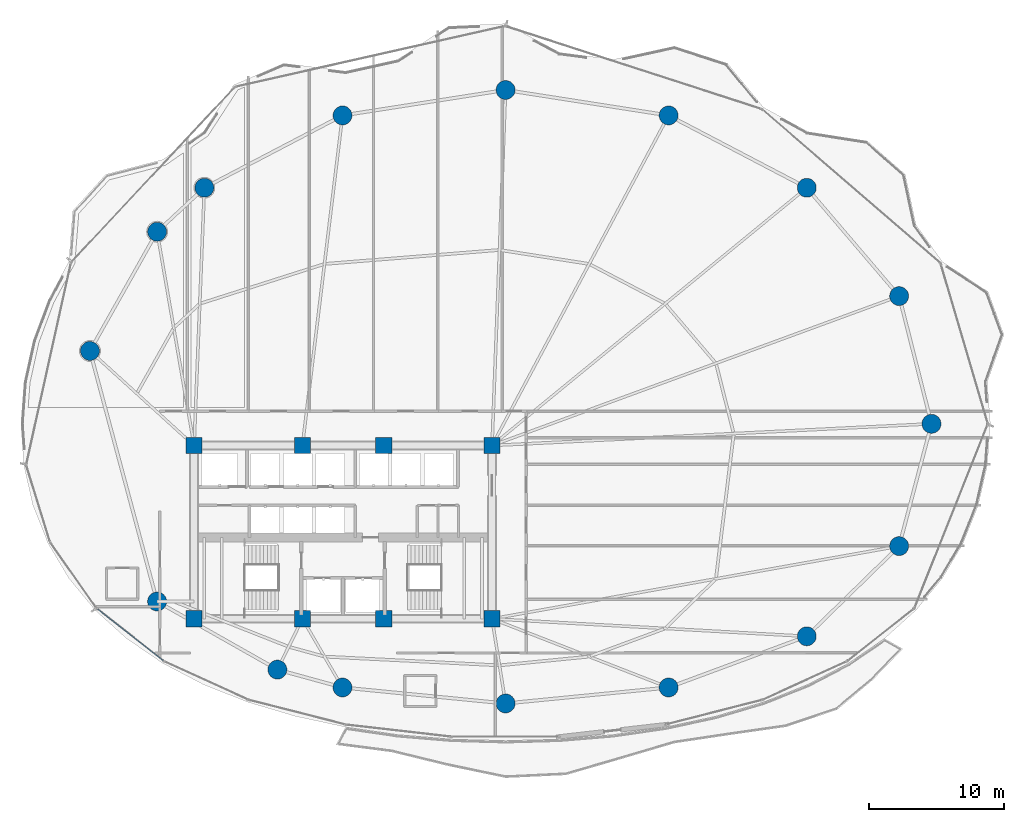
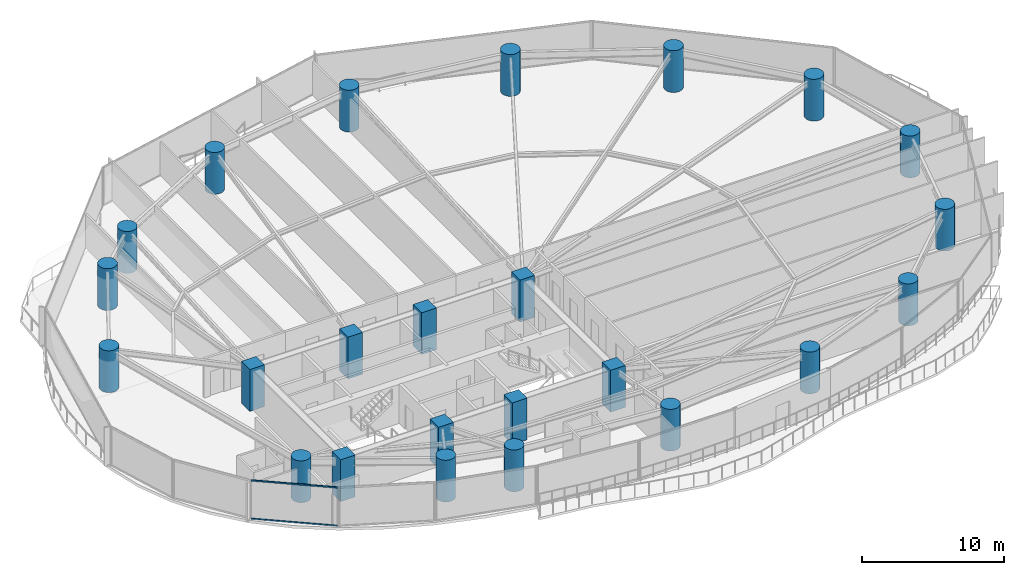
# One storey, part 1 of 33: 24 columns, 2 members, 1 element without a shape of its own.
"""IFC4 building model written with IfcOpenShell, lengths in metres."""

import ifcopenshell
import ifcopenshell.guid

model = None  # the IFC model being written
_history = None  # IfcOwnerHistory: only IFC2X3 demands one
_inside = {}  # id of a spatial element -> (the spatial element, [elements in it])
_under = {}  # id of a project, library or spatial element -> (it, [spatial elements below it])
_declared = {}  # id of a project -> (the project, [libraries it declares])
_typed = {}  # id of a type object -> (the type object, [elements of that type])
_made_of = {}  # id of a material, layer set ... -> (it, [elements and type objects made of it])


def new_model(schema):
    """Start an empty IFC model of exactly this schema.

    Asked for "IFC4X3", IfcOpenShell would pick the latest addendum, in which some entities
    have other attributes; the version numbers below select the first issue.
    IFC2X3 requires an IfcOwnerHistory on every rooted entity: one is made here for all.
    """
    global model, _history
    if schema == "IFC4X3":
        model = ifcopenshell.file(schema_version=(4, 3, 0, 0))
    else:
        model = ifcopenshell.file(schema=schema)
    _inside.clear()
    _under.clear()
    _declared.clear()
    _typed.clear()
    _made_of.clear()
    _history = None
    if model.schema == "IFC2X3":
        org = make("IfcOrganization", Name="unknown")
        user = make(
            "IfcPersonAndOrganization",
            ThePerson=make("IfcPerson", FamilyName="unknown"),
            TheOrganization=org,
        )
        app = make(
            "IfcApplication",
            ApplicationDeveloper=org,
            Version="unknown",
            ApplicationFullName="unknown",
            ApplicationIdentifier="unknown",
        )
        _history = make(
            "IfcOwnerHistory",
            OwningUser=user,
            OwningApplication=app,
            ChangeAction="ADDED",
            CreationDate=0,
        )
    return model


def make(cls, **values):
    """One entity of the class cls with the attributes given. An attribute that is None is left unset."""
    return model.create_entity(
        cls, **{name: value for name, value in values.items() if value is not None}
    )


def rooted(cls, **values):
    """An entity with a GlobalId (a new one), such as an element, a storey or a relation."""
    return make(cls, GlobalId=ifcopenshell.guid.new(), OwnerHistory=_history, **values)


def si_unit(unit_type, name, prefix=None):
    """IfcSIUnit, for example si_unit("LENGTHUNIT", "METRE", prefix="MILLI")."""
    return make("IfcSIUnit", UnitType=unit_type, Prefix=prefix, Name=name)


def assignment(units):
    """IfcUnitAssignment: the units of a project."""
    return None if units is None else make("IfcUnitAssignment", Units=units)


def point(xyz):
    """IfcCartesianPoint."""
    return None if xyz is None else make("IfcCartesianPoint", Coordinates=xyz)


def direction(xyz):
    """IfcDirection."""
    return None if xyz is None else make("IfcDirection", DirectionRatios=xyz)


def frame(location, z_axis=None, x_axis=None):
    """IfcAxis2Placement3D, a coordinate frame: its origin and axes. An axis left out is left unset."""
    return make(
        "IfcAxis2Placement3D",
        Location=point(location),
        Axis=direction(z_axis),
        RefDirection=direction(x_axis),
    )


def frame_2d(location, x_axis=None):
    """IfcAxis2Placement2D, a coordinate frame in the plane: its origin and x axis."""
    return make(
        "IfcAxis2Placement2D", Location=point(location), RefDirection=direction(x_axis)
    )


def origin():
    """The frame at (0, 0, 0) with its axes left unset."""
    return frame((0.0, 0.0, 0.0))


def origin_2d():
    """The frame at (0, 0) in the plane with its x axis left unset."""
    return frame_2d((0.0, 0.0))


def place(relative_to, where):
    """IfcLocalPlacement: puts the frame where relative to a parent placement (None: the world)."""
    return make(
        "IfcLocalPlacement", PlacementRelTo=relative_to, RelativePlacement=where
    )


def context(
    kind, dimensions, precision=None, world=None, true_north=None, identifier=None
):
    """IfcGeometricRepresentationContext, for example the 3D "Model" context."""
    return make(
        "IfcGeometricRepresentationContext",
        ContextIdentifier=identifier,
        ContextType=kind,
        CoordinateSpaceDimension=dimensions,
        Precision=precision,
        WorldCoordinateSystem=world,
        TrueNorth=true_north,
    )


def subcontext(parent, identifier, kind, view, scale=None):
    """IfcGeometricRepresentationSubContext, for example "Body" below "Model"."""
    return make(
        "IfcGeometricRepresentationSubContext",
        ContextIdentifier=identifier,
        ContextType=kind,
        ParentContext=parent,
        TargetScale=scale,
        TargetView=view,
    )


def project(units=None, contexts=None):
    """IfcProject with its units and contexts."""
    return rooted(
        "IfcProject",
        Name="project",
        RepresentationContexts=contexts,
        UnitsInContext=assignment(units),
    )


def spatial(cls, under=None, at=None, **own):
    """A site, building, storey or space (cls), placed at a placement, below another one or the project."""
    s = rooted(cls, ObjectPlacement=at, **own)
    if under is not None:
        _under.setdefault(under.id(), (under, []))[1].append(s)
    return s


def profile(cls, at=None, kind="AREA", **sizes):
    """A parametric profile (cls). Its sizes go by their IFC names, for example OverallWidth=200.0."""
    return make(cls, ProfileType=kind, Position=at, **sizes)


def rectangle(**sizes):
    """IfcRectangleProfileDef."""
    return profile("IfcRectangleProfileDef", **sizes)


def hollow_rectangle(**sizes):
    """IfcRectangleHollowProfileDef."""
    return profile("IfcRectangleHollowProfileDef", **sizes)


def circle(**sizes):
    """IfcCircleProfileDef."""
    return profile("IfcCircleProfileDef", **sizes)


def extrude(swept, where, along, depth):
    """IfcExtrudedAreaSolid: the profile swept, set in the frame where, extruded along a direction by depth."""
    return make(
        "IfcExtrudedAreaSolid",
        SweptArea=swept,
        Position=where,
        ExtrudedDirection=direction(along),
        Depth=depth,
    )


def shape(context_of_items, identifier, shape_type, items):
    """IfcShapeRepresentation: the items that make up one representation, for example the "Body"."""
    return make(
        "IfcShapeRepresentation",
        ContextOfItems=context_of_items,
        RepresentationIdentifier=identifier,
        RepresentationType=shape_type,
        Items=items,
    )


def material(Name=None, Category=None):
    """IfcMaterial."""
    return make("IfcMaterial", Name=Name, Category=Category)


def layer(
    of_material, thickness, ventilated=None, Name=None, Category=None, Priority=None
):
    """IfcMaterialLayer: one layer of a wall or slab, of a material (None: an air gap)."""
    return make(
        "IfcMaterialLayer",
        Material=of_material,
        LayerThickness=thickness,
        IsVentilated=ventilated,
        Name=Name,
        Category=Category,
        Priority=Priority,
    )


def layer_set(layers, Name=None):
    """IfcMaterialLayerSet."""
    return make("IfcMaterialLayerSet", MaterialLayers=layers, LayerSetName=Name)


def material_profile(
    of_material, cross_section, Name=None, Category=None, Priority=None
):
    """IfcMaterialProfile: a cross section and its material."""
    return make(
        "IfcMaterialProfile",
        Name=Name,
        Material=of_material,
        Profile=cross_section,
        Priority=Priority,
        Category=Category,
    )


def profile_set(profiles, Name=None, composite=None):
    """IfcMaterialProfileSet."""
    return make(
        "IfcMaterialProfileSet",
        Name=Name,
        MaterialProfiles=profiles,
        CompositeProfile=composite,
    )


def made_of(thing, what):
    """Note that an element or type object is made of a material, layer set ...; save() writes the relation."""
    if what is not None:
        _made_of.setdefault(what.id(), (what, []))[1].append(thing)
    return thing


def type_object(cls, material=None, **own):
    """A type object (cls), such as IfcWallType, which elements share."""
    return made_of(rooted(cls, **own), material)


def element(
    cls,
    number,
    at=None,
    inside=None,
    cuts=None,
    type_object=None,
    material=None,
    context=None,
    identifier="Body",
    shape_type=None,
    held_by="IfcProductDefinitionShape",
    body=None,
    shapes=None,
    **own,
):
    """One element of the class cls, such as IfcWall. Its Tag is "e" and its number.

    at: its placement. inside: the storey or other place that contains it. cuts: it is an
    opening in that element (IfcRelVoidsElement). A single representation is given by context,
    identifier, shape_type and body (its items); several are given by shapes. held_by: the class
    of the entity that holds the representations. save() writes the other relations.
    """
    e = rooted(cls, Tag="e%d" % number, ObjectPlacement=at, **own)
    if body is not None:
        shapes = [shape(context, identifier, shape_type, body)]
    if shapes is not None:
        e.Representation = make(held_by, Representations=shapes)
    if inside is not None:
        _inside.setdefault(inside.id(), (inside, []))[1].append(e)
    if cuts is not None:
        rooted(
            "IfcRelVoidsElement", RelatingBuildingElement=cuts, RelatedOpeningElement=e
        )
    if type_object is not None:
        _typed.setdefault(type_object.id(), (type_object, []))[1].append(e)
    return made_of(e, material)


def aggregate(whole, parts):
    """IfcRelAggregates: a whole, such as a stair, and the parts it consists of."""
    return rooted("IfcRelAggregates", RelatingObject=whole, RelatedObjects=parts)


def save(model, path):
    """Write the relations noted so far, then the file.

    IfcRelAggregates (storeys below a building ...), IfcRelContainedInSpatialStructure (elements
    in a storey), IfcRelDefinesByType, IfcRelAssociatesMaterial and IfcRelDeclares: one each for
    every whole, place, type object, material and project.
    """
    for whole, parts in _under.values():
        aggregate(whole, parts)
    for where, things in _inside.values():
        rooted(
            "IfcRelContainedInSpatialStructure",
            RelatedElements=things,
            RelatingStructure=where,
        )
    for kind, things in _typed.values():
        rooted("IfcRelDefinesByType", RelatedObjects=things, RelatingType=kind)
    for what, things in _made_of.values():
        rooted("IfcRelAssociatesMaterial", RelatedObjects=things, RelatingMaterial=what)
    for by, libraries in _declared.values():
        rooted("IfcRelDeclares", RelatingContext=by, RelatedDefinitions=libraries)
    model.write(path)


model = new_model("IFC4")

# Units and contexts
model_context = context("Model", 3, precision=1e-05, world=origin(), true_north=direction((0.0, 1.0)))
body_context = subcontext(model_context, "Body", "Model", "MODEL_VIEW")
ifc_project = project(units=[si_unit("LENGTHUNIT", "METRE"), si_unit("AREAUNIT", "SQUARE_METRE"), si_unit("VOLUMEUNIT", "CUBIC_METRE"), si_unit("PLANEANGLEUNIT", "RADIAN"), si_unit("MASSUNIT", "GRAM", prefix="KILO")], contexts=[model_context])

# Site, building, storey
site_placement = place(None, origin())
site = spatial("IfcSite", under=ifc_project, at=site_placement, CompositionType="ELEMENT")
building_placement = place(site_placement, origin())
building = spatial("IfcBuilding", under=site, at=building_placement, Name="Kazevale Care Tower and Concert Hall", CompositionType="ELEMENT")
storey_placement = place(building_placement, frame((0.0, 0.0, 52.800048828125)))
storey = spatial("IfcBuildingStorey", under=building, at=storey_placement, Name="L13", CompositionType="ELEMENT", Elevation=52.800048828125)

# Columns
ifc_material_1 = material(Name="Concrete C70", Category="concrete")
ifc_material_profile_1 = material_profile(ifc_material_1, rectangle(XDim=1.199951171875, YDim=1.199951171875, at=origin_2d()), Name="RC-SQ1200")
ifc_profile_set_1 = profile_set([ifc_material_profile_1], Name="Concrete C70")
column_type_1 = type_object("IfcColumnType", Name="Core Column SQ1200 C70", PredefinedType="COLUMN", material=ifc_profile_set_1)
for number, where, z_axis, x_axis, name in (
    (1, (22.0, 23.60009765625, 0.0), (0.0, 0.0, 1.0), (1.0, 0.0, 0.0), "col:L13:CC-01"),
    (2, (30.0, 23.60009765625, 0.0), (0.0, 0.0, 1.0), (1.0, 0.0, 0.0), "col:L13:CC-02"),
    (3, (36.0, 23.60009765625, 0.0), (0.0, 0.0, 1.0), (1.0, 0.0, 0.0), "col:L13:CC-03"),
    (4, (44.0, 23.60009765625, 0.0), (0.0, 0.0, 1.0), (1.0, 0.0, 0.0), "col:L13:CC-04"),
    (5, (44.0, 36.39990234375, 0.0), (0.0, 0.0, 1.0), (1.0, 0.0, 0.0), "col:L13:CC-05"),
    (6, (36.0, 36.39990234375, 0.0), (0.0, 0.0, 1.0), (1.0, 0.0, 0.0), "col:L13:CC-06"),
    (7, (30.0, 36.39990234375, 0.0), (0.0, 0.0, 1.0), (1.0, 0.0, 0.0), "col:L13:CC-07"),
    (8, (22.0, 36.39990234375, 0.0), (0.0, 0.0, 1.0), (1.0, 0.0, 0.0), "col:L13:CC-08"),
):
    element("IfcColumn", number, at=place(storey_placement, frame(where, z_axis=z_axis, x_axis=x_axis)), inside=storey, type_object=column_type_1, Name=name, PredefinedType="COLUMN", context=body_context, shape_type="SweptSolid", body=[
        extrude(rectangle(XDim=1.199951171875, YDim=1.199951171875, at=origin_2d()), origin(), (0.0, 0.0, 1.0), 3.599853515625),
    ])
ifc_material_profile_2 = material_profile(ifc_material_1, circle(Radius=0.699951171875, at=origin_2d()), Name="RC-CIR1400")
ifc_profile_set_2 = profile_set([ifc_material_profile_2], Name="Concrete C70")
column_type_2 = type_object("IfcColumnType", Name="Perimeter Column CIR1400 C70", PredefinedType="COLUMN", material=ifc_profile_set_2)
for number, where, z_axis, x_axis, name in (
    (9, (76.449951171875, 38.0, 0.0), (0.0, 0.0, 1.0), (1.0, 0.0, 0.0), "col:L13:PC-01"),
    (10, (74.06005859375, 47.429931640625, 0.0), (0.0, 0.0, 1.0), (1.0, 0.0, 0.0), "col:L13:PC-02"),
    (11, (67.239990234375, 55.429931640625, 0.0), (0.0, 0.0, 1.0), (1.0, 0.0, 0.0), "col:L13:PC-03"),
    (12, (57.0400390625, 60.77001953125, 0.0), (0.0, 0.0, 1.0), (1.0, 0.0, 0.0), "col:L13:PC-04"),
    (13, (45.0, 62.64990234375, 0.0), (0.0, 0.0, 1.0), (1.0, 0.0, 0.0), "col:L13:PC-05"),
    (14, (32.9599609375, 60.77001953125, 0.0), (0.0, 0.0, 1.0), (1.0, 0.0, 0.0), "col:L13:PC-06"),
    (15, (22.760009765625, 55.429931640625, 0.0), (0.0, 0.0, 1.0), (1.0, 0.0, 0.0), "col:L13:PC-07"),
    (16, (19.27001953125, 52.179931640625, 0.0), (0.0, 0.0, 1.0), (1.0, 0.0, 0.0), "col:L13:PC-08"),
    (17, (14.31005859375, 43.3798828125, 0.0), (0.0, 0.0, 1.0), (1.0, 0.0, 0.0), "col:L13:PC-09"),
    (18, (19.27001953125, 24.8798828125, 0.0), (0.0, 0.0, 1.0), (1.0, 0.0, 0.0), "col:L13:PC-10"),
    (19, (28.14990234375, 19.85009765625, 0.0), (0.0, 0.0, 1.0), (1.0, 0.0, 0.0), "col:L13:PC-11"),
    (20, (32.9599609375, 18.530029296875, 0.0), (0.0, 0.0, 1.0), (1.0, 0.0, 0.0), "col:L13:PC-12"),
    (21, (45.0, 17.35009765625, 0.0), (0.0, 0.0, 1.0), (1.0, 0.0, 0.0), "col:L13:PC-13"),
    (22, (57.0400390625, 18.530029296875, 0.0), (0.0, 0.0, 1.0), (1.0, 0.0, 0.0), "col:L13:PC-14"),
    (23, (67.239990234375, 22.31005859375, 0.0), (0.0, 0.0, 1.0), (1.0, 0.0, 0.0), "col:L13:PC-15"),
    (24, (74.06005859375, 28.969970703125, 0.0), (0.0, 0.0, 1.0), (1.0, 0.0, 0.0), "col:L13:PC-16"),
):
    element("IfcColumn", number, at=place(storey_placement, frame(where, z_axis=z_axis, x_axis=x_axis)), inside=storey, type_object=column_type_2, Name=name, PredefinedType="COLUMN", context=body_context, shape_type="SweptSolid", body=[
        extrude(circle(Radius=0.699951171875, at=origin_2d()), origin(), (0.0, 0.0, 1.0), 3.599853515625),
    ])

# Curtain wall, members
ifc_material_2 = material(Name="Aluminium 6063-T6 and Low-E Glass", Category="aluminium")
ifc_layer = layer(ifc_material_2, 0.179931640625)
ifc_layer_set = layer_set([ifc_layer], Name="Aluminium 6063-T6 and Low-E Glass")
curtain_wall_type = type_object("IfcCurtainWallType", Name="Sheltered Concave Balcony Curtain Wall CW-5", PredefinedType="NOTDEFINED", material=ifc_layer_set)
curtain_wall_placement = place(storey_placement, origin())
curtain_wall = element("IfcCurtainWall", 25, at=curtain_wall_placement, inside=storey, type_object=curtain_wall_type, Name="cw:L13:f10", PredefinedType="NOTDEFINED")
ifc_material_3 = material(Name="Aluminium 6063-T6", Category="aluminium")
ifc_material_profile_3 = material_profile(ifc_material_3, hollow_rectangle(XDim=0.074951171875, YDim=0.1201171875, WallThickness=0.00390625, at=origin_2d()), Name="ALU75x120x4")
ifc_profile_set_3 = profile_set([ifc_material_profile_3], Name="Aluminium 6063-T6")
member_type = type_object("IfcMemberType", Name="CW-5 Transom ALU75x120x4", PredefinedType="USERDEFINED", material=ifc_profile_set_3)
member_1_placement = place(storey_placement, frame((19.718994140625, 20.513427734375, 0.037353515625), z_axis=(-0.78633897536, 0.617795286344, 0.0), x_axis=(-0.617795286344, -0.78633897536, 0.0)))
member_1 = element("IfcMember", 26, at=member_1_placement, type_object=member_type, Name="CW-5 transom 1.1", ObjectType="TRANSOM", PredefinedType="USERDEFINED", context=body_context, shape_type="SweptSolid", body=[
    extrude(hollow_rectangle(XDim=0.074951171875, YDim=0.1201171875, WallThickness=0.00390625, at=origin_2d()), origin(), (0.0, 0.0, 1.0), 6.15771484375),
])
member_2_placement = place(storey_placement, frame((19.718994140625, 20.513427734375, 3.322509765625), z_axis=(-0.78633897536, 0.617795286344, 0.0), x_axis=(-0.617795286344, -0.78633897536, 0.0)))
member_2 = element("IfcMember", 27, at=member_2_placement, type_object=member_type, Name="CW-5 transom 1.2", ObjectType="TRANSOM", PredefinedType="USERDEFINED", context=body_context, shape_type="SweptSolid", body=[
    extrude(hollow_rectangle(XDim=0.074951171875, YDim=0.1201171875, WallThickness=0.00390625, at=origin_2d()), origin(), (0.0, 0.0, 1.0), 6.15771484375),
])
aggregate(curtain_wall, [member_1, member_2])

save(model, "model.ifc")
